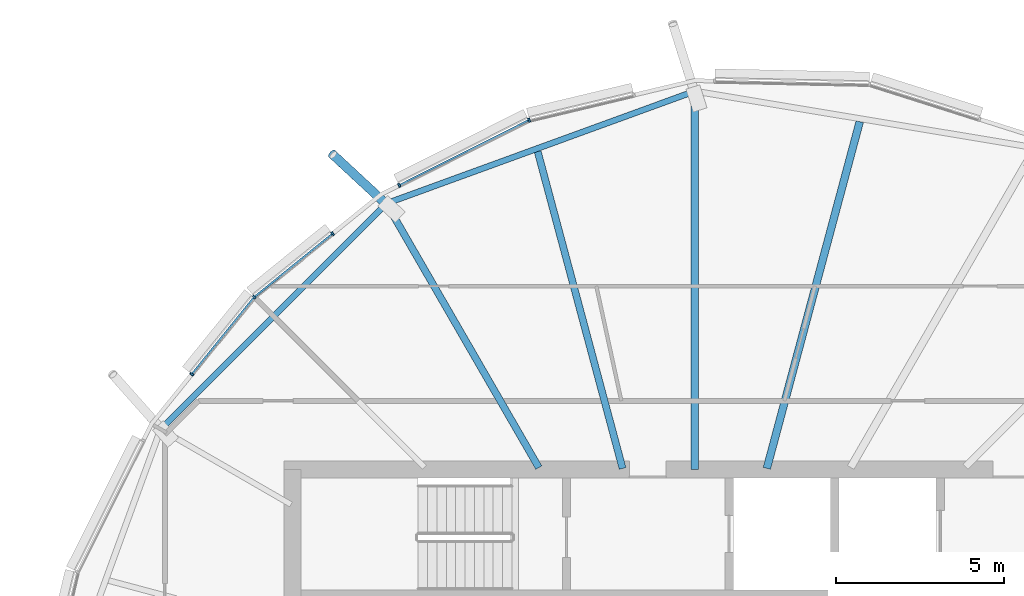
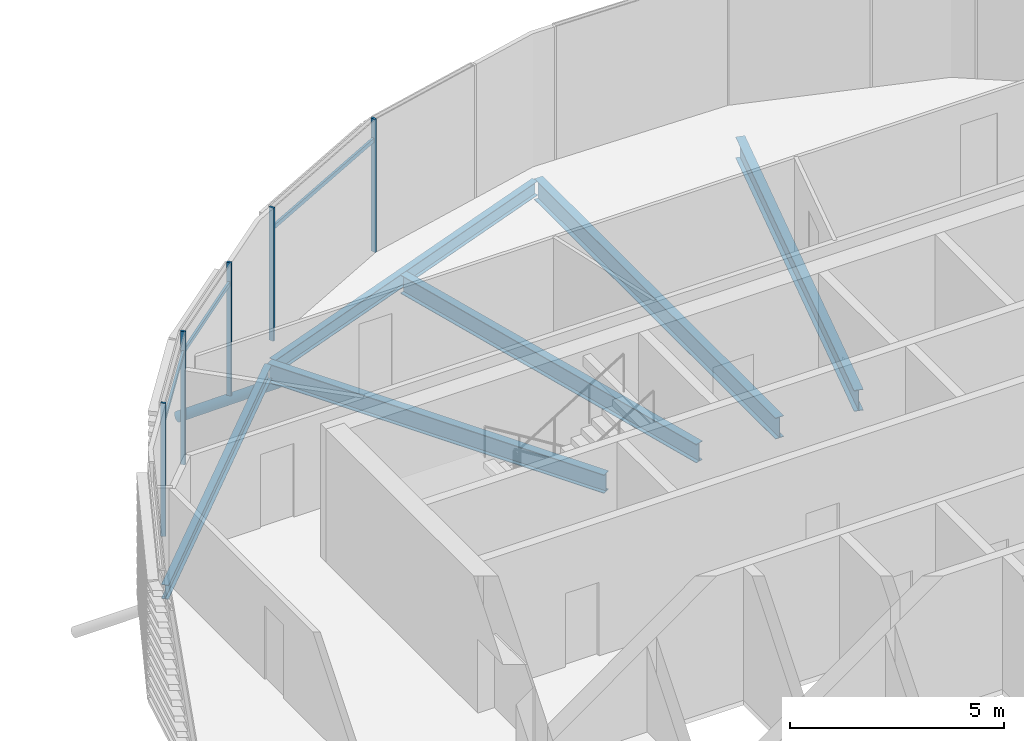
# One storey, part 13 of 35: 9 members, 6 beams, 1 element without a shape of its own.
"""IFC4 building model written with IfcOpenShell, lengths in metres."""

import ifcopenshell
import ifcopenshell.guid

model = None  # the IFC model being written
_history = None  # IfcOwnerHistory: only IFC2X3 demands one
_inside = {}  # id of a spatial element -> (the spatial element, [elements in it])
_under = {}  # id of a project, library or spatial element -> (it, [spatial elements below it])
_declared = {}  # id of a project -> (the project, [libraries it declares])
_typed = {}  # id of a type object -> (the type object, [elements of that type])
_made_of = {}  # id of a material, layer set ... -> (it, [elements and type objects made of it])


def new_model(schema):
    """Start an empty IFC model of exactly this schema.

    Asked for "IFC4X3", IfcOpenShell would pick the latest addendum, in which some entities
    have other attributes; the version numbers below select the first issue.
    IFC2X3 requires an IfcOwnerHistory on every rooted entity: one is made here for all.
    """
    global model, _history
    if schema == "IFC4X3":
        model = ifcopenshell.file(schema_version=(4, 3, 0, 0))
    else:
        model = ifcopenshell.file(schema=schema)
    _inside.clear()
    _under.clear()
    _declared.clear()
    _typed.clear()
    _made_of.clear()
    _history = None
    if model.schema == "IFC2X3":
        org = make("IfcOrganization", Name="unknown")
        user = make(
            "IfcPersonAndOrganization",
            ThePerson=make("IfcPerson", FamilyName="unknown"),
            TheOrganization=org,
        )
        app = make(
            "IfcApplication",
            ApplicationDeveloper=org,
            Version="unknown",
            ApplicationFullName="unknown",
            ApplicationIdentifier="unknown",
        )
        _history = make(
            "IfcOwnerHistory",
            OwningUser=user,
            OwningApplication=app,
            ChangeAction="ADDED",
            CreationDate=0,
        )
    return model


def make(cls, **values):
    """One entity of the class cls with the attributes given. An attribute that is None is left unset."""
    return model.create_entity(
        cls, **{name: value for name, value in values.items() if value is not None}
    )


def rooted(cls, **values):
    """An entity with a GlobalId (a new one), such as an element, a storey or a relation."""
    return make(cls, GlobalId=ifcopenshell.guid.new(), OwnerHistory=_history, **values)


def si_unit(unit_type, name, prefix=None):
    """IfcSIUnit, for example si_unit("LENGTHUNIT", "METRE", prefix="MILLI")."""
    return make("IfcSIUnit", UnitType=unit_type, Prefix=prefix, Name=name)


def assignment(units):
    """IfcUnitAssignment: the units of a project."""
    return None if units is None else make("IfcUnitAssignment", Units=units)


def point(xyz):
    """IfcCartesianPoint."""
    return None if xyz is None else make("IfcCartesianPoint", Coordinates=xyz)


def direction(xyz):
    """IfcDirection."""
    return None if xyz is None else make("IfcDirection", DirectionRatios=xyz)


def frame(location, z_axis=None, x_axis=None):
    """IfcAxis2Placement3D, a coordinate frame: its origin and axes. An axis left out is left unset."""
    return make(
        "IfcAxis2Placement3D",
        Location=point(location),
        Axis=direction(z_axis),
        RefDirection=direction(x_axis),
    )


def frame_2d(location, x_axis=None):
    """IfcAxis2Placement2D, a coordinate frame in the plane: its origin and x axis."""
    return make(
        "IfcAxis2Placement2D", Location=point(location), RefDirection=direction(x_axis)
    )


def origin():
    """The frame at (0, 0, 0) with its axes left unset."""
    return frame((0.0, 0.0, 0.0))


def origin_2d():
    """The frame at (0, 0) in the plane with its x axis left unset."""
    return frame_2d((0.0, 0.0))


def place(relative_to, where):
    """IfcLocalPlacement: puts the frame where relative to a parent placement (None: the world)."""
    return make(
        "IfcLocalPlacement", PlacementRelTo=relative_to, RelativePlacement=where
    )


def context(
    kind, dimensions, precision=None, world=None, true_north=None, identifier=None
):
    """IfcGeometricRepresentationContext, for example the 3D "Model" context."""
    return make(
        "IfcGeometricRepresentationContext",
        ContextIdentifier=identifier,
        ContextType=kind,
        CoordinateSpaceDimension=dimensions,
        Precision=precision,
        WorldCoordinateSystem=world,
        TrueNorth=true_north,
    )


def subcontext(parent, identifier, kind, view, scale=None):
    """IfcGeometricRepresentationSubContext, for example "Body" below "Model"."""
    return make(
        "IfcGeometricRepresentationSubContext",
        ContextIdentifier=identifier,
        ContextType=kind,
        ParentContext=parent,
        TargetScale=scale,
        TargetView=view,
    )


def project(units=None, contexts=None):
    """IfcProject with its units and contexts."""
    return rooted(
        "IfcProject",
        Name="project",
        RepresentationContexts=contexts,
        UnitsInContext=assignment(units),
    )


def spatial(cls, under=None, at=None, **own):
    """A site, building, storey or space (cls), placed at a placement, below another one or the project."""
    s = rooted(cls, ObjectPlacement=at, **own)
    if under is not None:
        _under.setdefault(under.id(), (under, []))[1].append(s)
    return s


def profile(cls, at=None, kind="AREA", **sizes):
    """A parametric profile (cls). Its sizes go by their IFC names, for example OverallWidth=200.0."""
    return make(cls, ProfileType=kind, Position=at, **sizes)


def rectangle(**sizes):
    """IfcRectangleProfileDef."""
    return profile("IfcRectangleProfileDef", **sizes)


def hollow_circle(**sizes):
    """IfcCircleHollowProfileDef."""
    return profile("IfcCircleHollowProfileDef", **sizes)


def i_section(**sizes):
    """IfcIShapeProfileDef."""
    return profile("IfcIShapeProfileDef", **sizes)


def extrude(swept, where, along, depth):
    """IfcExtrudedAreaSolid: the profile swept, set in the frame where, extruded along a direction by depth."""
    return make(
        "IfcExtrudedAreaSolid",
        SweptArea=swept,
        Position=where,
        ExtrudedDirection=direction(along),
        Depth=depth,
    )


def clip(a, b, op="DIFFERENCE"):
    """IfcBooleanClippingResult: the solid a cut by the half space b."""
    return make(
        "IfcBooleanClippingResult", Operator=op, FirstOperand=a, SecondOperand=b
    )


def halfspace(plane, agree):
    """IfcHalfSpaceSolid: all space on one side of the plane z = 0 of the frame plane."""
    return make(
        "IfcHalfSpaceSolid",
        BaseSurface=make("IfcPlane", Position=plane),
        AgreementFlag=agree,
    )


def shape(context_of_items, identifier, shape_type, items):
    """IfcShapeRepresentation: the items that make up one representation, for example the "Body"."""
    return make(
        "IfcShapeRepresentation",
        ContextOfItems=context_of_items,
        RepresentationIdentifier=identifier,
        RepresentationType=shape_type,
        Items=items,
    )


def material(Name=None, Category=None):
    """IfcMaterial."""
    return make("IfcMaterial", Name=Name, Category=Category)


def material_profile(
    of_material, cross_section, Name=None, Category=None, Priority=None
):
    """IfcMaterialProfile: a cross section and its material."""
    return make(
        "IfcMaterialProfile",
        Name=Name,
        Material=of_material,
        Profile=cross_section,
        Priority=Priority,
        Category=Category,
    )


def profile_set(profiles, Name=None, composite=None):
    """IfcMaterialProfileSet."""
    return make(
        "IfcMaterialProfileSet",
        Name=Name,
        MaterialProfiles=profiles,
        CompositeProfile=composite,
    )


def made_of(thing, what):
    """Note that an element or type object is made of a material, layer set ...; save() writes the relation."""
    if what is not None:
        _made_of.setdefault(what.id(), (what, []))[1].append(thing)
    return thing


def type_object(cls, material=None, **own):
    """A type object (cls), such as IfcWallType, which elements share."""
    return made_of(rooted(cls, **own), material)


def element(
    cls,
    number,
    at=None,
    inside=None,
    cuts=None,
    type_object=None,
    material=None,
    context=None,
    identifier="Body",
    shape_type=None,
    held_by="IfcProductDefinitionShape",
    body=None,
    shapes=None,
    **own,
):
    """One element of the class cls, such as IfcWall. Its Tag is "e" and its number.

    at: its placement. inside: the storey or other place that contains it. cuts: it is an
    opening in that element (IfcRelVoidsElement). A single representation is given by context,
    identifier, shape_type and body (its items); several are given by shapes. held_by: the class
    of the entity that holds the representations. save() writes the other relations.
    """
    e = rooted(cls, Tag="e%d" % number, ObjectPlacement=at, **own)
    if body is not None:
        shapes = [shape(context, identifier, shape_type, body)]
    if shapes is not None:
        e.Representation = make(held_by, Representations=shapes)
    if inside is not None:
        _inside.setdefault(inside.id(), (inside, []))[1].append(e)
    if cuts is not None:
        rooted(
            "IfcRelVoidsElement", RelatingBuildingElement=cuts, RelatedOpeningElement=e
        )
    if type_object is not None:
        _typed.setdefault(type_object.id(), (type_object, []))[1].append(e)
    return made_of(e, material)


def aggregate(whole, parts):
    """IfcRelAggregates: a whole, such as a stair, and the parts it consists of."""
    return rooted("IfcRelAggregates", RelatingObject=whole, RelatedObjects=parts)


def save(model, path):
    """Write the relations noted so far, then the file.

    IfcRelAggregates (storeys below a building ...), IfcRelContainedInSpatialStructure (elements
    in a storey), IfcRelDefinesByType, IfcRelAssociatesMaterial and IfcRelDeclares: one each for
    every whole, place, type object, material and project.
    """
    for whole, parts in _under.values():
        aggregate(whole, parts)
    for where, things in _inside.values():
        rooted(
            "IfcRelContainedInSpatialStructure",
            RelatedElements=things,
            RelatingStructure=where,
        )
    for kind, things in _typed.values():
        rooted("IfcRelDefinesByType", RelatedObjects=things, RelatingType=kind)
    for what, things in _made_of.values():
        rooted("IfcRelAssociatesMaterial", RelatedObjects=things, RelatingMaterial=what)
    for by, libraries in _declared.values():
        rooted("IfcRelDeclares", RelatingContext=by, RelatedDefinitions=libraries)
    model.write(path)


model = new_model("IFC4")

# Units and contexts
model_context = context("Model", 3, precision=1e-05, world=origin(), true_north=direction((0.0, 1.0)))
body_context = subcontext(model_context, "Body", "Model", "MODEL_VIEW")
ifc_project = project(units=[si_unit("LENGTHUNIT", "METRE"), si_unit("AREAUNIT", "SQUARE_METRE"), si_unit("VOLUMEUNIT", "CUBIC_METRE"), si_unit("PLANEANGLEUNIT", "RADIAN"), si_unit("MASSUNIT", "GRAM", prefix="KILO")], contexts=[model_context])

# Site, building, storey
site_placement = place(None, origin())
site = spatial("IfcSite", under=ifc_project, at=site_placement, CompositionType="ELEMENT")
building_placement = place(site_placement, origin())
building = spatial("IfcBuilding", under=site, at=building_placement, Name="Rimbun Link Towers", CompositionType="ELEMENT")
storey_placement = place(building_placement, frame((0.0, 0.0, 225.699951171875)))
storey = spatial("IfcBuildingStorey", under=building, at=storey_placement, Name="L55", CompositionType="ELEMENT", Elevation=225.699951171875)

# Curtain wall, members
ifc_material_1 = material(Name="Aluminium 6063-T6 and low-iron glass", Category="aluminium")
curtain_wall_type = type_object("IfcCurtainWallType", Name="CW1-Z4 unitised vision wall (zone 4)", PredefinedType="NOTDEFINED", material=ifc_material_1)
curtain_wall_placement = place(storey_placement, origin())
curtain_wall = element("IfcCurtainWall", 1, at=curtain_wall_placement, inside=storey, type_object=curtain_wall_type, Name="CW1 L55 T2", PredefinedType="NOTDEFINED")
ifc_material_2 = material(Name="Aluminium 6063-T6", Category="aluminium")
ifc_material_profile_1 = material_profile(ifc_material_2, rectangle(XDim=0.1201171875, YDim=0.06005859375, at=origin_2d()), Name="MULLION 60X120")
ifc_profile_set_1 = profile_set([ifc_material_profile_1], Name="Aluminium 6063-T6")
member_type_1 = type_object("IfcMemberType", Name="CW1 mullion 60X120", PredefinedType="MULLION", material=ifc_profile_set_1)
member_1_placement = place(storey_placement, frame((26.809814453125, 18.4169921875, 0.0), z_axis=(0.0, 0.0, 1.0), x_axis=(-0.342964224935, 0.939348465914, 0.0)))
member_1 = element("IfcMember", 2, at=member_1_placement, type_object=member_type_1, Name="CW1 mullion", PredefinedType="MULLION", context=body_context, shape_type="SweptSolid", body=[
    extrude(rectangle(XDim=0.1201171875, YDim=0.06005859375, at=origin_2d()), origin(), (0.0, 0.0, 1.0), 3.800048828125),
])
member_2_placement = place(storey_placement, frame((22.935546875, 16.471923828125, 0.0), z_axis=(0.0, 0.0, 1.0), x_axis=(-0.448771319523, 0.893646631938, 0.0)))
member_2 = element("IfcMember", 3, at=member_2_placement, type_object=member_type_1, Name="CW1 mullion", PredefinedType="MULLION", context=body_context, shape_type="SweptSolid", body=[
    extrude(rectangle(XDim=0.1201171875, YDim=0.06005859375, at=origin_2d()), origin(), (0.0, 0.0, 1.0), 3.800048828125),
])
member_3_placement = place(storey_placement, frame((18.61181640625, 13.13818359375, 0.0), z_axis=(0.0, 0.0, 1.0), x_axis=(-0.707106781187, 0.707106781187, 0.0)))
member_3 = element("IfcMember", 4, at=member_3_placement, type_object=member_type_1, Name="CW1 mullion", PredefinedType="MULLION", context=body_context, shape_type="SweptSolid", body=[
    extrude(rectangle(XDim=0.1201171875, YDim=0.06005859375, at=origin_2d()), origin(), (0.0, 0.0, 1.0), 3.800048828125),
])
member_4_placement = place(storey_placement, frame((20.95068359375, 15.03173828125, 0.0), z_axis=(0.0, 0.0, 1.0), x_axis=(-0.629160290454, 0.777275581063, 0.0)))
member_4 = element("IfcMember", 5, at=member_4_placement, type_object=member_type_1, Name="CW1 mullion", PredefinedType="MULLION", context=body_context, shape_type="SweptSolid", body=[
    extrude(rectangle(XDim=0.1201171875, YDim=0.06005859375, at=origin_2d()), origin(), (0.0, 0.0, 1.0), 3.800048828125),
])
member_5_placement = place(storey_placement, frame((16.749755859375, 10.83837890625, 0.0), z_axis=(0.0, 0.0, 1.0), x_axis=(-0.777275581063, 0.629160290454, 0.0)))
member_5 = element("IfcMember", 6, at=member_5_placement, type_object=member_type_1, Name="CW1 mullion", PredefinedType="MULLION", context=body_context, shape_type="SweptSolid", body=[
    extrude(rectangle(XDim=0.1201171875, YDim=0.06005859375, at=origin_2d()), origin(), (0.0, 0.0, 1.0), 3.800048828125),
])
ifc_material_3 = material(Name="Aluminium 6063-T6", Category="aluminium")
ifc_material_profile_2 = material_profile(ifc_material_3, rectangle(XDim=0.06005859375, YDim=0.1201171875, at=origin_2d()), Name="TRANSOM 60X120")
ifc_profile_set_2 = profile_set([ifc_material_profile_2], Name="Aluminium 6063-T6")
member_type_2 = type_object("IfcMemberType", Name="CW1 transom 60X120", PredefinedType="USERDEFINED", material=ifc_profile_set_2)
member_6_placement = place(storey_placement, frame((22.96337890625, 16.483642578125, 3.199951171875), z_axis=(0.893624915217, 0.448814561822, 0.0), x_axis=(-0.448814561822, 0.893624915217, 0.0)))
member_6 = element("IfcMember", 7, at=member_6_placement, type_object=member_type_2, Name="CW1 transom", ObjectType="TRANSOM", PredefinedType="USERDEFINED", context=body_context, shape_type="SweptSolid", body=[
    extrude(rectangle(XDim=0.06005859375, YDim=0.1201171875, at=origin_2d()), origin(), (0.0, 0.0, 1.0), 4.26806640625),
])
member_7_placement = place(storey_placement, frame((18.64111328125, 13.15966796875, 3.199951171875), z_axis=(0.777221687749, 0.629226865362, 0.0), x_axis=(-0.629226865362, 0.777221687749, 0.0)))
member_7 = element("IfcMember", 8, at=member_7_placement, type_object=member_type_2, Name="CW1 transom", ObjectType="TRANSOM", PredefinedType="USERDEFINED", context=body_context, shape_type="SweptSolid", body=[
    extrude(rectangle(XDim=0.06005859375, YDim=0.1201171875, at=origin_2d()), origin(), (0.0, 0.0, 1.0), 2.94287109375),
])
member_8_placement = place(storey_placement, frame((16.77001953125, 10.8603515625, 3.199951171875), z_axis=(0.629212794525, 0.777233079074, 0.0), x_axis=(-0.777233079074, 0.629212794525, 0.0)))
member_8 = element("IfcMember", 9, at=member_8_placement, type_object=member_type_2, Name="CW1 transom", ObjectType="TRANSOM", PredefinedType="USERDEFINED", context=body_context, shape_type="SweptSolid", body=[
    extrude(rectangle(XDim=0.06005859375, YDim=0.1201171875, at=origin_2d()), origin(), (0.0, 0.0, 1.0), 2.89306640625),
])
aggregate(curtain_wall, [member_1, member_2, member_3, member_4, member_5, member_6, member_7, member_8])

# Member
ifc_material_4 = material(Name="Steel S355J2H", Category="steel")
ifc_material_profile_3 = material_profile(ifc_material_4, hollow_circle(Radius=0.136474609375, WallThickness=0.012451171875, at=origin_2d()), Name="CHS 273x12.5")
ifc_profile_set_3 = profile_set([ifc_material_profile_3], Name="Steel S355J2H")
member_type_3 = type_object("IfcMemberType", Name="Floor edge link CHS 273x12.5", PredefinedType="BRACE", material=ifc_profile_set_3)
member_9_placement = place(storey_placement, frame((22.577880859375, 15.88671875, -0.79150390625), z_axis=(-0.638931068912, 0.592110805535, -0.49109254031), x_axis=(-0.679721926218, -0.733469906007, 0.0)))
element("IfcMember", 10, at=member_9_placement, inside=storey, type_object=member_type_3, Name="Floor edge link T2 L55 05", PredefinedType="BRACE", context=body_context, shape_type="Clipping", body=[
    clip(extrude(hollow_circle(Radius=0.136474609375, WallThickness=0.012451171875, at=origin_2d()), frame((0.0, 0.0, -0.504638671875)), (0.0, 0.0, 1.0), 3.085693359375), halfspace(frame((0.0, 0.0, -0.237060546875), z_axis=(0.0, 0.871107408333, -0.49109254031)), False)),
])

# Beams
ifc_material_5 = material(Name="Steel S355J2", Category="steel")
ifc_material_profile_4 = material_profile(ifc_material_5, i_section(OverallWidth=0.177978515625, OverallDepth=0.406494140625, WebThickness=0.0078125, FlangeThickness=0.0126953125, at=origin_2d()), Name="UB 406x178x60")
ifc_profile_set_4 = profile_set([ifc_material_profile_4], Name="Steel S355J2")
beam_type_1 = type_object("IfcBeamType", Name="UB 406x178x60", PredefinedType="BEAM", material=ifc_profile_set_4)
beam_1_placement = place(storey_placement, frame((31.63525390625, 19.238525390625, -0.34326171875), z_axis=(-0.93959490992, -0.342288482501, 0.0), x_axis=(0.342288482501, -0.93959490992, 0.0)))
element("IfcBeam", 11, at=beam_1_placement, inside=storey, type_object=beam_type_1, Name="Edge beam T2 L55 03-05", PredefinedType="BEAM", context=body_context, shape_type="SweptSolid", body=[
    extrude(i_section(OverallWidth=0.177978515625, OverallDepth=0.406494140625, WebThickness=0.0078125, FlangeThickness=0.0126953125, at=origin_2d()), origin(), (0.0, 0.0, 1.0), 9.55908203125),
])
beam_2_placement = place(storey_placement, frame((22.4755859375, 15.8525390625, -0.34326171875), z_axis=(-0.707119870545, -0.707093691586, 0.0), x_axis=(0.707093691586, -0.707119870545, 0.0)))
element("IfcBeam", 12, at=beam_2_placement, inside=storey, type_object=beam_type_1, Name="Edge beam T2 L55 05-07", PredefinedType="BEAM", context=body_context, shape_type="SweptSolid", body=[
    extrude(i_section(OverallWidth=0.177978515625, OverallDepth=0.406494140625, WebThickness=0.0078125, FlangeThickness=0.0126953125, at=origin_2d()), origin(), (0.0, 0.0, 1.0), 9.325927734375),
])
ifc_material_6 = material(Name="Steel S355J2", Category="steel")
ifc_material_profile_5 = material_profile(ifc_material_6, i_section(OverallWidth=0.209228515625, OverallDepth=0.533203125, WebThickness=0.010009765625, FlangeThickness=0.015625, at=origin_2d()), Name="UB 533x210x92")
ifc_profile_set_5 = profile_set([ifc_material_profile_5], Name="Steel S355J2")
beam_type_2 = type_object("IfcBeamType", Name="UB 533x210x92", PredefinedType="BEAM", material=ifc_profile_set_5)
beam_3_placement = place(storey_placement, frame((29.598876953125, 8.028076171875, -0.406494140625), z_axis=(-0.258817990667, 0.965926108824, 0.0), x_axis=(-0.965926108824, -0.258817990667, 0.0)))
element("IfcBeam", 13, at=beam_3_placement, inside=storey, type_object=beam_type_2, Name="Radial beam T2 L55 04", PredefinedType="BEAM", context=body_context, shape_type="SweptSolid", body=[
    extrude(i_section(OverallWidth=0.209228515625, OverallDepth=0.533203125, WebThickness=0.010009765625, FlangeThickness=0.015625, at=origin_2d()), origin(), (0.0, 0.0, 1.0), 9.78369140625),
])
beam_4_placement = place(storey_placement, frame((27.1005859375, 8.05322265625, -0.406494140625), z_axis=(-0.499998958472, 0.86602600511, 0.0), x_axis=(-0.86602600511, -0.499998958472, 0.0)))
element("IfcBeam", 14, at=beam_4_placement, inside=storey, type_object=beam_type_2, Name="Radial beam T2 L55 05", PredefinedType="BEAM", context=body_context, shape_type="SweptSolid", body=[
    extrude(i_section(OverallWidth=0.209228515625, OverallDepth=0.533203125, WebThickness=0.010009765625, FlangeThickness=0.015625, at=origin_2d()), origin(), (0.0, 0.0, 1.0), 9.09521484375),
])
ifc_material_7 = material(Name="Steel S355J2", Category="steel")
ifc_material_profile_6 = material_profile(ifc_material_7, i_section(OverallWidth=0.2275390625, OverallDepth=0.6025390625, WebThickness=0.010498046875, FlangeThickness=0.014892578125, at=origin_2d()), Name="UB 610x229x101")
ifc_profile_set_6 = profile_set([ifc_material_profile_6], Name="Steel S355J2")
beam_type_3 = type_object("IfcBeamType", Name="UB 610x229x101", PredefinedType="BEAM", material=ifc_profile_set_6)
beam_5_placement = place(storey_placement, frame((33.901611328125, 8.030517578125, -0.441162109375), z_axis=(0.258836404679, 0.965921174637, 0.0), x_axis=(-0.965921174637, 0.258836404679, 0.0)))
element("IfcBeam", 15, at=beam_5_placement, inside=storey, type_object=beam_type_3, Name="Radial beam T2 L55 02", PredefinedType="BEAM", context=body_context, shape_type="SweptSolid", body=[
    extrude(i_section(OverallWidth=0.2275390625, OverallDepth=0.6025390625, WebThickness=0.010498046875, FlangeThickness=0.014892578125, at=origin_2d()), origin(), (0.0, 0.0, 1.0), 10.70458984375),
])
beam_6_placement = place(storey_placement, frame((31.75, 8.0009765625, -0.441162109375), z_axis=(0.0, 1.0, 0.0), x_axis=(-1.0, 0.0, 0.0)))
element("IfcBeam", 16, at=beam_6_placement, inside=storey, type_object=beam_type_3, Name="Radial beam T2 L55 03", PredefinedType="BEAM", context=body_context, shape_type="SweptSolid", body=[
    extrude(i_section(OverallWidth=0.2275390625, OverallDepth=0.6025390625, WebThickness=0.010498046875, FlangeThickness=0.014892578125, at=origin_2d()), origin(), (0.0, 0.0, 1.0), 11.279296875),
])

save(model, "model.ifc")
